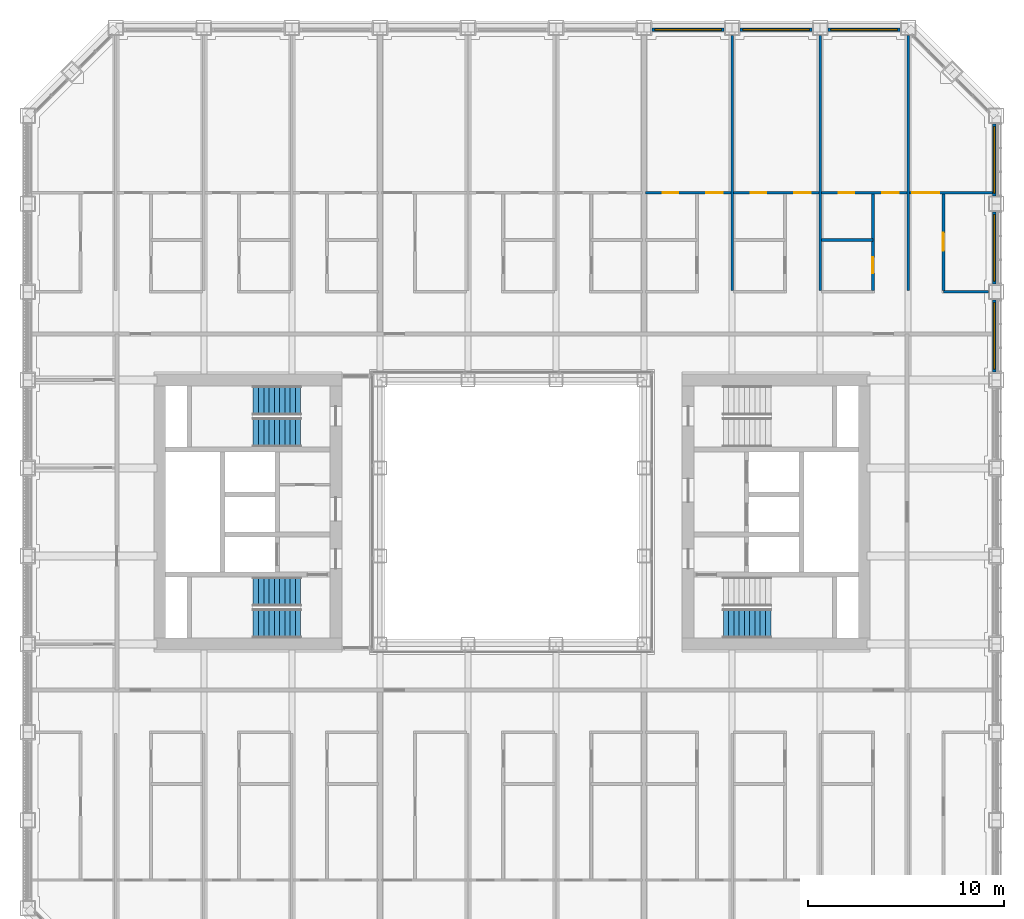
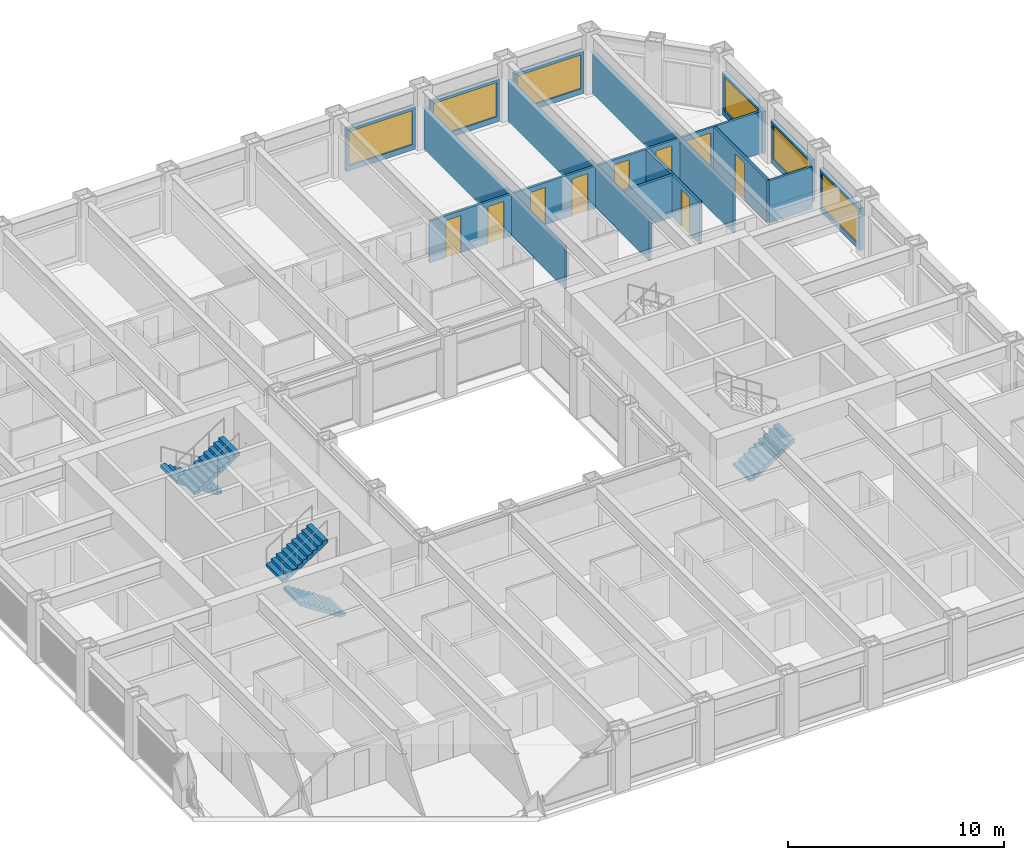
# One storey, part 15 of 21: 17 walls, 9 doors, 6 windows, 5 stair flights, 15 openings, 3 elements without a shape of their own.
"""IFC4 building model written with IfcOpenShell, lengths in metres."""

from ifc_helpers import new_model, si_unit, direction, frame, frame_2d, origin, place, context, subcontext, project, spatial, polyline, rectangle, outline, extrude, material, layer, layer_set, type_object, element, fill, aggregate, save


model = new_model("IFC4")

# Units and contexts
model_context = context("Model", 3, precision=1e-05, world=origin(), true_north=direction((0.0, 1.0)))
body_context = subcontext(model_context, "Body", "Model", "MODEL_VIEW")
ifc_project = project(units=[si_unit("LENGTHUNIT", "METRE"), si_unit("AREAUNIT", "SQUARE_METRE"), si_unit("VOLUMEUNIT", "CUBIC_METRE"), si_unit("PLANEANGLEUNIT", "RADIAN"), si_unit("MASSUNIT", "GRAM", prefix="KILO")], contexts=[model_context])

# Site, building, storey
site_placement = place(None, origin())
site = spatial("IfcSite", under=ifc_project, at=site_placement, CompositionType="ELEMENT")
building_placement = place(site_placement, origin())
building = spatial("IfcBuilding", under=site, at=building_placement, Name="Msasa Ring Tower", CompositionType="ELEMENT")
storey_placement = place(building_placement, frame((0.0, 0.0, 93.0)))
storey = spatial("IfcBuildingStorey", under=building, at=storey_placement, Name="L24", CompositionType="ELEMENT", Elevation=93.0)

# Wall, opening, window
ifc_material_1 = material(Name="Terracotta rainscreen on blockwork", Category="masonry")
ifc_layer_1 = layer(ifc_material_1, 0.199951171875)
ifc_layer_set_1 = layer_set([ifc_layer_1], Name="FW1 TERRACOTTA-LINED INFILL BAY WALL 200")
wall_type_1 = type_object("IfcWallType", Name="FW1 TERRACOTTA-LINED INFILL BAY WALL 200", PredefinedType="SOLIDWALL", material=ifc_layer_set_1)
wall_1_placement = place(storey_placement, frame((24.64990234375, 7.155029296875, 0.0), z_axis=(0.0, 0.0, 1.0), x_axis=(0.0, 1.0, 0.0)))
wall_1 = element("IfcWall", 1, at=wall_1_placement, inside=storey, type_object=wall_type_1, Name="Infill bay wall E L24 17", PredefinedType="SOLIDWALL", context=body_context, shape_type="SweptSolid", body=[
    extrude(rectangle(XDim=3.68994140625, YDim=0.199951171875, at=frame_2d((1.844970703125, 0.0))), origin(), (0.0, 0.0, 1.0), 2.37890625),
])
opening_1_placement = place(wall_1_placement, frame((0.14501953125, 0.0, 0.300048828125)))
opening_1 = element("IfcOpeningElement", 2, at=opening_1_placement, cuts=wall_1, Name="Opening WN1", PredefinedType="OPENING", context=body_context, shape_type="SweptSolid", body=[
    extrude(rectangle(XDim=3.39990234375, YDim=1.928955078125, at=frame_2d((1.699951171875, 0.96435546875))), frame((0.0, 0.10986328125, 0.0), z_axis=(0.0, -1.0, 0.0), x_axis=(1.0, 0.0, 0.0)), (0.0, 0.0, 1.0), 0.219970703125),
])
ifc_material_2 = material(Name="Aluminium frame with clear glass", Category="aluminium")
window_type = type_object("IfcWindowType", Name="WN1 RESIDENCE WINDOW 3400x1929", PartitioningType="SINGLE_PANEL", PredefinedType="WINDOW", material=ifc_material_2)
window_1_placement = place(opening_1_placement, origin())
window_1 = element("IfcWindow", 3, at=window_1_placement, inside=storey, type_object=window_type, Name="Window E L24 17", OverallHeight=1.928955078125, OverallWidth=3.39990234375, PartitioningType="SINGLE_PANEL", PredefinedType="WINDOW", context=body_context, shape_type="SweptSolid", body=[
    extrude(rectangle(XDim=3.39990234375, YDim=1.928955078125, at=frame_2d((1.699951171875, 0.96435546875))), frame((0.0, 0.030029296875, 0.0), z_axis=(0.0, -1.0, 0.0), x_axis=(1.0, 0.0, 0.0)), (0.0, 0.0, 1.0), 0.06005859375),
])
fill(opening_1, window_1)

wall_2_placement = place(storey_placement, frame((24.64990234375, 11.655029296875, 0.0), z_axis=(0.0, 0.0, 1.0), x_axis=(0.0, 1.0, 0.0)))
wall_2 = element("IfcWall", 4, at=wall_2_placement, inside=storey, type_object=wall_type_1, Name="Infill bay wall E L24 18", PredefinedType="SOLIDWALL", context=body_context, shape_type="SweptSolid", body=[
    extrude(rectangle(XDim=3.68994140625, YDim=0.199951171875, at=frame_2d((1.844970703125, 0.0))), origin(), (0.0, 0.0, 1.0), 2.37890625),
])
opening_2_placement = place(wall_2_placement, frame((0.14501953125, 0.0, 0.300048828125)))
opening_2 = element("IfcOpeningElement", 5, at=opening_2_placement, cuts=wall_2, Name="Opening WN1", PredefinedType="OPENING", context=body_context, shape_type="SweptSolid", body=[
    extrude(rectangle(XDim=3.39990234375, YDim=1.928955078125, at=frame_2d((1.699951171875, 0.96435546875))), frame((0.0, 0.10986328125, 0.0), z_axis=(0.0, -1.0, 0.0), x_axis=(1.0, 0.0, 0.0)), (0.0, 0.0, 1.0), 0.219970703125),
])
window_2_placement = place(opening_2_placement, origin())
window_2 = element("IfcWindow", 6, at=window_2_placement, inside=storey, type_object=window_type, Name="Window E L24 18", OverallHeight=1.928955078125, OverallWidth=3.39990234375, PartitioningType="SINGLE_PANEL", PredefinedType="WINDOW", context=body_context, shape_type="SweptSolid", body=[
    extrude(rectangle(XDim=3.39990234375, YDim=1.928955078125, at=frame_2d((1.699951171875, 0.96435546875))), frame((0.0, 0.030029296875, 0.0), z_axis=(0.0, -1.0, 0.0), x_axis=(1.0, 0.0, 0.0)), (0.0, 0.0, 1.0), 0.06005859375),
])
fill(opening_2, window_2)

wall_3_placement = place(storey_placement, frame((24.64990234375, 16.155029296875, 0.0), z_axis=(0.0, 0.0, 1.0), x_axis=(0.0, 1.0, 0.0)))
wall_3 = element("IfcWall", 7, at=wall_3_placement, inside=storey, type_object=wall_type_1, Name="Infill bay wall E L24 19", PredefinedType="SOLIDWALL", context=body_context, shape_type="SweptSolid", body=[
    extrude(rectangle(XDim=3.68994140625, YDim=0.199951171875, at=frame_2d((1.844970703125, 0.0))), origin(), (0.0, 0.0, 1.0), 2.37890625),
])
opening_3_placement = place(wall_3_placement, frame((0.14501953125, 0.0, 0.300048828125)))
opening_3 = element("IfcOpeningElement", 8, at=opening_3_placement, cuts=wall_3, Name="Opening WN1", PredefinedType="OPENING", context=body_context, shape_type="SweptSolid", body=[
    extrude(rectangle(XDim=3.39990234375, YDim=1.928955078125, at=frame_2d((1.699951171875, 0.96435546875))), frame((0.0, 0.10986328125, 0.0), z_axis=(0.0, -1.0, 0.0), x_axis=(1.0, 0.0, 0.0)), (0.0, 0.0, 1.0), 0.219970703125),
])
window_3_placement = place(opening_3_placement, origin())
window_3 = element("IfcWindow", 9, at=window_3_placement, inside=storey, type_object=window_type, Name="Window E L24 19", OverallHeight=1.928955078125, OverallWidth=3.39990234375, PartitioningType="SINGLE_PANEL", PredefinedType="WINDOW", context=body_context, shape_type="SweptSolid", body=[
    extrude(rectangle(XDim=3.39990234375, YDim=1.928955078125, at=frame_2d((1.699951171875, 0.96435546875))), frame((0.0, 0.030029296875, 0.0), z_axis=(0.0, -1.0, 0.0), x_axis=(1.0, 0.0, 0.0)), (0.0, 0.0, 1.0), 0.06005859375),
])
fill(opening_3, window_3)

wall_4_placement = place(storey_placement, frame((7.155029296875, 24.64990234375, 0.0), z_axis=(0.0, 0.0, 1.0), x_axis=(1.0, 0.0, 0.0)))
wall_4 = element("IfcWall", 10, at=wall_4_placement, inside=storey, type_object=wall_type_1, Name="Infill bay wall N L24 28", PredefinedType="SOLIDWALL", context=body_context, shape_type="SweptSolid", body=[
    extrude(rectangle(XDim=3.68994140625, YDim=0.199951171875, at=frame_2d((1.844970703125, 0.0))), origin(), (0.0, 0.0, 1.0), 2.37890625),
])
opening_4_placement = place(wall_4_placement, frame((0.14501953125, 0.0, 0.300048828125)))
opening_4 = element("IfcOpeningElement", 11, at=opening_4_placement, cuts=wall_4, Name="Opening WN1", PredefinedType="OPENING", context=body_context, shape_type="SweptSolid", body=[
    extrude(rectangle(XDim=3.39990234375, YDim=1.928955078125, at=frame_2d((1.699951171875, 0.96435546875))), frame((0.0, 0.10986328125, 0.0), z_axis=(0.0, -1.0, 0.0), x_axis=(1.0, 0.0, 0.0)), (0.0, 0.0, 1.0), 0.219970703125),
])
window_4_placement = place(opening_4_placement, origin())
window_4 = element("IfcWindow", 12, at=window_4_placement, inside=storey, type_object=window_type, Name="Window N L24 28", OverallHeight=1.928955078125, OverallWidth=3.39990234375, PartitioningType="SINGLE_PANEL", PredefinedType="WINDOW", context=body_context, shape_type="SweptSolid", body=[
    extrude(rectangle(XDim=3.39990234375, YDim=1.928955078125, at=frame_2d((1.699951171875, 0.96435546875))), frame((0.0, 0.030029296875, 0.0), z_axis=(0.0, -1.0, 0.0), x_axis=(1.0, 0.0, 0.0)), (0.0, 0.0, 1.0), 0.06005859375),
])
fill(opening_4, window_4)

wall_5_placement = place(storey_placement, frame((11.655029296875, 24.64990234375, 0.0), z_axis=(0.0, 0.0, 1.0), x_axis=(1.0, 0.0, 0.0)))
wall_5 = element("IfcWall", 13, at=wall_5_placement, inside=storey, type_object=wall_type_1, Name="Infill bay wall N L24 29", PredefinedType="SOLIDWALL", context=body_context, shape_type="SweptSolid", body=[
    extrude(rectangle(XDim=3.68994140625, YDim=0.199951171875, at=frame_2d((1.844970703125, 0.0))), origin(), (0.0, 0.0, 1.0), 2.37890625),
])
opening_5_placement = place(wall_5_placement, frame((0.14501953125, 0.0, 0.300048828125)))
opening_5 = element("IfcOpeningElement", 14, at=opening_5_placement, cuts=wall_5, Name="Opening WN1", PredefinedType="OPENING", context=body_context, shape_type="SweptSolid", body=[
    extrude(rectangle(XDim=3.39990234375, YDim=1.928955078125, at=frame_2d((1.699951171875, 0.96435546875))), frame((0.0, 0.10986328125, 0.0), z_axis=(0.0, -1.0, 0.0), x_axis=(1.0, 0.0, 0.0)), (0.0, 0.0, 1.0), 0.219970703125),
])
window_5_placement = place(opening_5_placement, origin())
window_5 = element("IfcWindow", 15, at=window_5_placement, inside=storey, type_object=window_type, Name="Window N L24 29", OverallHeight=1.928955078125, OverallWidth=3.39990234375, PartitioningType="SINGLE_PANEL", PredefinedType="WINDOW", context=body_context, shape_type="SweptSolid", body=[
    extrude(rectangle(XDim=3.39990234375, YDim=1.928955078125, at=frame_2d((1.699951171875, 0.96435546875))), frame((0.0, 0.030029296875, 0.0), z_axis=(0.0, -1.0, 0.0), x_axis=(1.0, 0.0, 0.0)), (0.0, 0.0, 1.0), 0.06005859375),
])
fill(opening_5, window_5)

wall_6_placement = place(storey_placement, frame((16.155029296875, 24.64990234375, 0.0), z_axis=(0.0, 0.0, 1.0), x_axis=(1.0, 0.0, 0.0)))
wall_6 = element("IfcWall", 16, at=wall_6_placement, inside=storey, type_object=wall_type_1, Name="Infill bay wall N L24 30", PredefinedType="SOLIDWALL", context=body_context, shape_type="SweptSolid", body=[
    extrude(rectangle(XDim=3.68994140625, YDim=0.199951171875, at=frame_2d((1.844970703125, 0.0))), origin(), (0.0, 0.0, 1.0), 2.37890625),
])
opening_6_placement = place(wall_6_placement, frame((0.14501953125, 0.0, 0.300048828125)))
opening_6 = element("IfcOpeningElement", 17, at=opening_6_placement, cuts=wall_6, Name="Opening WN1", PredefinedType="OPENING", context=body_context, shape_type="SweptSolid", body=[
    extrude(rectangle(XDim=3.39990234375, YDim=1.928955078125, at=frame_2d((1.699951171875, 0.96435546875))), frame((0.0, 0.10986328125, 0.0), z_axis=(0.0, -1.0, 0.0), x_axis=(1.0, 0.0, 0.0)), (0.0, 0.0, 1.0), 0.219970703125),
])
window_6_placement = place(opening_6_placement, origin())
window_6 = element("IfcWindow", 18, at=window_6_placement, inside=storey, type_object=window_type, Name="Window N L24 30", OverallHeight=1.928955078125, OverallWidth=3.39990234375, PartitioningType="SINGLE_PANEL", PredefinedType="WINDOW", context=body_context, shape_type="SweptSolid", body=[
    extrude(rectangle(XDim=3.39990234375, YDim=1.928955078125, at=frame_2d((1.699951171875, 0.96435546875))), frame((0.0, 0.030029296875, 0.0), z_axis=(0.0, -1.0, 0.0), x_axis=(1.0, 0.0, 0.0)), (0.0, 0.0, 1.0), 0.06005859375),
])
fill(opening_6, window_6)

# Wall, opening, door
ifc_material_3 = material(Name="Moisture-resistant board on steel studs with a concealed cistern and pipe void, tiled", Category="steel")
ifc_layer_2 = layer(ifc_material_3, 0.14990234375)
ifc_layer_set_2 = layer_set([ifc_layer_2], Name="PT4 BATHROOM WET WALL 150")
wall_type_2 = type_object("IfcWallType", Name="PT4 BATHROOM WET WALL 150", PredefinedType="PARTITIONING", material=ifc_layer_set_2)
wall_7_placement = place(storey_placement, frame((22.050048828125, 11.3125, 0.0), z_axis=(0.0, 0.0, 1.0), x_axis=(0.0, 1.0, 0.0)))
wall_7 = element("IfcWall", 19, at=wall_7_placement, inside=storey, type_object=wall_type_2, Name="Partition L24-UN02SX0", PredefinedType="PARTITIONING", context=body_context, shape_type="SweptSolid", body=[
    extrude(rectangle(XDim=5.0, YDim=0.14990234375, at=frame_2d((2.5, 0.0))), origin(), (0.0, 0.0, 1.0), 2.373291015625),
])
opening_7_placement = place(wall_7_placement, frame((2.050048828125, 0.0, 0.0)))
opening_7 = element("IfcOpeningElement", 20, at=opening_7_placement, cuts=wall_7, Name="Opening RG-022", PredefinedType="OPENING", context=body_context, shape_type="SweptSolid", body=[
    extrude(rectangle(XDim=0.89990234375, YDim=2.10009765625, at=frame_2d((0.449951171875, 1.050048828125))), frame((0.0, 0.0849609375, 0.0), z_axis=(0.0, -1.0, 0.0), x_axis=(1.0, 0.0, 0.0)), (0.0, 0.0, 1.0), 0.169921875),
])
ifc_material_4 = material(Name="Timber door leaf in a steel frame", Category="steel")
door_type_1 = type_object("IfcDoorType", Name="D22 INTERNAL HALL DOOR 900x2100", OperationType="SINGLE_SWING_LEFT", PredefinedType="DOOR", material=ifc_material_4)
door_1_placement = place(opening_7_placement, origin())
door_1 = element("IfcDoor", 21, at=door_1_placement, inside=storey, type_object=door_type_1, Name="Door L24-UN02K", OperationType="SINGLE_SWING_LEFT", OverallHeight=2.10009765625, OverallWidth=0.89990234375, PredefinedType="DOOR", context=body_context, shape_type="SweptSolid", body=[
    extrude(rectangle(XDim=0.89990234375, YDim=2.10009765625, at=frame_2d((0.449951171875, 1.050048828125))), frame((0.0, 0.02490234375, 0.0), z_axis=(0.0, -1.0, 0.0), x_axis=(1.0, 0.0, 0.0)), (0.0, 0.0, 1.0), 0.050048828125),
])
fill(opening_7, door_1)

wall_8_placement = place(storey_placement, frame((18.449951171875, 11.3125, 0.0), z_axis=(0.0, 0.0, 1.0), x_axis=(0.0, 1.0, 0.0)))
wall_8 = element("IfcWall", 22, at=wall_8_placement, inside=storey, type_object=wall_type_2, Name="Partition L24-UN02SX1", PredefinedType="PARTITIONING", context=body_context, shape_type="SweptSolid", body=[
    extrude(rectangle(XDim=5.0, YDim=0.14990234375, at=frame_2d((2.5, 0.0))), origin(), (0.0, 0.0, 1.0), 2.373291015625),
])
opening_8_placement = place(wall_8_placement, frame((0.89990234375, 0.0, 0.0)))
opening_8 = element("IfcOpeningElement", 23, at=opening_8_placement, cuts=wall_8, Name="Opening RG-030", PredefinedType="OPENING", context=body_context, shape_type="SweptSolid", body=[
    extrude(rectangle(XDim=0.800048828125, YDim=2.10009765625, at=frame_2d((0.39990234375, 1.050048828125))), frame((0.0, 0.0849609375, 0.0), z_axis=(0.0, -1.0, 0.0), x_axis=(1.0, 0.0, 0.0)), (0.0, 0.0, 1.0), 0.169921875),
])
ifc_material_5 = material(Name="Timber door leaf in a steel frame", Category="steel")
door_type_2 = type_object("IfcDoorType", Name="D21 POCKET SLIDING BATHROOM DOOR 800x2100", OperationType="SINGLE_SWING_LEFT", PredefinedType="DOOR", material=ifc_material_5)
door_2_placement = place(opening_8_placement, origin())
door_2 = element("IfcDoor", 24, at=door_2_placement, inside=storey, type_object=door_type_2, Name="Door L24-UN02B1", OperationType="SINGLE_SWING_LEFT", OverallHeight=2.10009765625, OverallWidth=0.800048828125, PredefinedType="DOOR", context=body_context, shape_type="SweptSolid", body=[
    extrude(rectangle(XDim=0.800048828125, YDim=2.10009765625, at=frame_2d((0.39990234375, 1.050048828125))), frame((0.0, 0.02490234375, 0.0), z_axis=(0.0, -1.0, 0.0), x_axis=(1.0, 0.0, 0.0)), (0.0, 0.0, 1.0), 0.050048828125),
])
fill(opening_8, door_2)

# Walls
wall_9_placement = place(storey_placement, frame((15.8125, 13.91259765625, 0.0), z_axis=(0.0, 0.0, 1.0), x_axis=(1.0, 0.0, 0.0)))
element("IfcWall", 25, at=wall_9_placement, inside=storey, type_object=wall_type_2, Name="Partition L24-UN02SB1", PredefinedType="PARTITIONING", context=body_context, shape_type="SweptSolid", body=[
    extrude(rectangle(XDim=2.637451171875, YDim=0.14990234375, at=frame_2d((1.31884765625, 0.0))), origin(), (0.0, 0.0, 1.0), 2.373291015625),
])
ifc_material_6 = material(Name="Two layers of acoustic board each face on steel studs, mineral wool", Category="steel")
ifc_layer_3 = layer(ifc_material_6, 0.125)
ifc_layer_set_3 = layer_set([ifc_layer_3], Name="PT6 ACOUSTIC DOUBLE-BOARD PARTITION 125")
wall_type_3 = type_object("IfcWallType", Name="PT6 ACOUSTIC DOUBLE-BOARD PARTITION 125", PredefinedType="PARTITIONING", material=ifc_layer_set_3)
wall_10_placement = place(storey_placement, frame((22.050048828125, 11.25, 0.0), z_axis=(0.0, 0.0, 1.0), x_axis=(1.0, 0.0, 0.0)))
element("IfcWall", 26, at=wall_10_placement, inside=storey, type_object=wall_type_3, Name="Partition L24-UN02HY0", PredefinedType="PARTITIONING", context=body_context, shape_type="SweptSolid", body=[
    extrude(rectangle(XDim=2.300048828125, YDim=0.125, at=frame_2d((1.14990234375, 0.0))), origin(), (0.0, 0.0, 1.0), 2.373291015625),
])

# Wall, opening, door
wall_11_placement = place(storey_placement, frame((20.3125, 16.3125, 0.0), z_axis=(0.0, 0.0, 1.0), x_axis=(1.0, 0.0, 0.0)))
wall_11 = element("IfcWall", 27, at=wall_11_placement, inside=storey, type_object=wall_type_3, Name="Partition L24-UN02SY0", PredefinedType="PARTITIONING", context=body_context, shape_type="SweptSolid", body=[
    extrude(rectangle(XDim=4.237548828125, YDim=0.125, at=frame_2d((2.11865234375, 0.0))), origin(), (0.0, 0.0, 1.0), 2.373291015625),
])
opening_9_placement = place(wall_11_placement, frame((0.137451171875, 0.0, 0.0)))
opening_9 = element("IfcOpeningElement", 28, at=opening_9_placement, cuts=wall_11, Name="Opening RG-019", PredefinedType="OPENING", context=body_context, shape_type="SweptSolid", body=[
    extrude(rectangle(XDim=1.39990234375, YDim=2.10009765625, at=frame_2d((0.699951171875, 1.050048828125))), frame((0.0, 0.072509765625, 0.0), z_axis=(0.0, -1.0, 0.0), x_axis=(1.0, 0.0, 0.0)), (0.0, 0.0, 1.0), 0.14501953125),
])
ifc_material_7 = material(Name="Timber door leaf in a steel frame", Category="steel")
door_type_3 = type_object("IfcDoorType", Name="D15 LIVING ROOM PAIR OF GLAZED DOORS 1400x2100", OperationType="SINGLE_SWING_LEFT", PredefinedType="DOOR", material=ifc_material_7)
door_3_placement = place(opening_9_placement, origin())
door_3 = element("IfcDoor", 29, at=door_3_placement, inside=storey, type_object=door_type_3, Name="Door L24-UN02L", OperationType="SINGLE_SWING_LEFT", OverallHeight=2.10009765625, OverallWidth=1.39990234375, PredefinedType="DOOR", context=body_context, shape_type="SweptSolid", body=[
    extrude(rectangle(XDim=1.39990234375, YDim=2.10009765625, at=frame_2d((0.699951171875, 1.050048828125))), frame((0.0, 0.02490234375, 0.0), z_axis=(0.0, -1.0, 0.0), x_axis=(1.0, 0.0, 0.0)), (0.0, 0.0, 1.0), 0.050048828125),
])
fill(opening_9, door_3)

# Wall
wall_12_placement = place(storey_placement, frame((20.25, 11.3125, 0.0), z_axis=(0.0, 0.0, 1.0), x_axis=(0.0, 1.0, 0.0)))
element("IfcWall", 30, at=wall_12_placement, inside=storey, type_object=wall_type_3, Name="Partition L24-UN02P1", PredefinedType="PARTITIONING", context=body_context, shape_type="SweptSolid", body=[
    extrude(rectangle(XDim=13.03759765625, YDim=0.125, at=frame_2d((6.518798828125, 0.0))), origin(), (0.0, 0.0, 1.0), 2.373291015625),
])

# Wall, openings, doors
wall_13_placement = place(storey_placement, frame((15.8125, 16.3125, 0.0), z_axis=(0.0, 0.0, 1.0), x_axis=(1.0, 0.0, 0.0)))
wall_13 = element("IfcWall", 31, at=wall_13_placement, inside=storey, type_object=wall_type_3, Name="Partition L24-UN02SY1", PredefinedType="PARTITIONING", context=body_context, shape_type="SweptSolid", body=[
    extrude(rectangle(XDim=4.375, YDim=0.125, at=frame_2d((2.1875, 0.0))), origin(), (0.0, 0.0, 1.0), 2.373291015625),
])
opening_10_placement = place(wall_13_placement, frame((3.112548828125, 0.0, 0.0)))
opening_10 = element("IfcOpeningElement", 32, at=opening_10_placement, cuts=wall_13, Name="Opening RG-018", PredefinedType="OPENING", context=body_context, shape_type="SweptSolid", body=[
    extrude(rectangle(XDim=0.85009765625, YDim=2.10009765625, at=frame_2d((0.425048828125, 1.050048828125))), frame((0.0, 0.072509765625, 0.0), z_axis=(0.0, -1.0, 0.0), x_axis=(1.0, 0.0, 0.0)), (0.0, 0.0, 1.0), 0.14501953125),
])
opening_11_placement = place(wall_13_placement, frame((0.88134765625, 0.0, 0.0)))
opening_11 = element("IfcOpeningElement", 33, at=opening_11_placement, cuts=wall_13, Name="Opening RG-017", PredefinedType="OPENING", context=body_context, shape_type="SweptSolid", body=[
    extrude(rectangle(XDim=0.800048828125, YDim=2.10009765625, at=frame_2d((0.39990234375, 1.050048828125))), frame((0.0, 0.072509765625, 0.0), z_axis=(0.0, -1.0, 0.0), x_axis=(1.0, 0.0, 0.0)), (0.0, 0.0, 1.0), 0.14501953125),
])
ifc_material_8 = material(Name="Timber door leaf in a steel frame", Category="steel")
door_type_4 = type_object("IfcDoorType", Name="D14 BEDROOM DOOR 850x2100", OperationType="SINGLE_SWING_LEFT", PredefinedType="DOOR", material=ifc_material_8)
door_4_placement = place(opening_10_placement, origin())
door_4 = element("IfcDoor", 34, at=door_4_placement, inside=storey, type_object=door_type_4, Name="Door L24-UN02R1", OperationType="SINGLE_SWING_RIGHT", OverallHeight=2.10009765625, OverallWidth=0.85009765625, PredefinedType="DOOR", context=body_context, shape_type="SweptSolid", body=[
    extrude(rectangle(XDim=0.85009765625, YDim=2.10009765625, at=frame_2d((0.425048828125, 1.050048828125))), frame((0.0, 0.02490234375, 0.0), z_axis=(0.0, -1.0, 0.0), x_axis=(1.0, 0.0, 0.0)), (0.0, 0.0, 1.0), 0.050048828125),
])
fill(opening_10, door_4)
ifc_material_9 = material(Name="Timber door leaf in a steel frame", Category="steel")
door_type_5 = type_object("IfcDoorType", Name="D60 DRESSING ROOM DOOR 800x2100", OperationType="SINGLE_SWING_LEFT", PredefinedType="DOOR", material=ifc_material_9)
door_5_placement = place(opening_11_placement, origin())
door_5 = element("IfcDoor", 35, at=door_5_placement, inside=storey, type_object=door_type_5, Name="Door L24-UN02W1", OperationType="SINGLE_SWING_LEFT", OverallHeight=2.10009765625, OverallWidth=0.800048828125, PredefinedType="DOOR", context=body_context, shape_type="SweptSolid", body=[
    extrude(rectangle(XDim=0.800048828125, YDim=2.10009765625, at=frame_2d((0.39990234375, 1.050048828125))), frame((0.0, 0.02490234375, 0.0), z_axis=(0.0, -1.0, 0.0), x_axis=(1.0, 0.0, 0.0)), (0.0, 0.0, 1.0), 0.050048828125),
])
fill(opening_11, door_5)

# Wall
wall_14_placement = place(storey_placement, frame((15.75, 11.3125, 0.0), z_axis=(0.0, 0.0, 1.0), x_axis=(0.0, 1.0, 0.0)))
element("IfcWall", 36, at=wall_14_placement, inside=storey, type_object=wall_type_3, Name="Partition L24-UN02P2", PredefinedType="PARTITIONING", context=body_context, shape_type="SweptSolid", body=[
    extrude(rectangle(XDim=13.03759765625, YDim=0.125, at=frame_2d((6.518798828125, 0.0))), origin(), (0.0, 0.0, 1.0), 2.373291015625),
])

# Wall, openings, doors
wall_15_placement = place(storey_placement, frame((11.3125, 16.3125, 0.0), z_axis=(0.0, 0.0, 1.0), x_axis=(1.0, 0.0, 0.0)))
wall_15 = element("IfcWall", 37, at=wall_15_placement, inside=storey, type_object=wall_type_3, Name="Partition L24-UN02SY2", PredefinedType="PARTITIONING", context=body_context, shape_type="SweptSolid", body=[
    extrude(rectangle(XDim=4.375, YDim=0.125, at=frame_2d((2.1875, 0.0))), origin(), (0.0, 0.0, 1.0), 2.373291015625),
])
opening_12_placement = place(wall_15_placement, frame((3.112548828125, 0.0, 0.0)))
opening_12 = element("IfcOpeningElement", 38, at=opening_12_placement, cuts=wall_15, Name="Opening RG-016", PredefinedType="OPENING", context=body_context, shape_type="SweptSolid", body=[
    extrude(rectangle(XDim=0.85009765625, YDim=2.10009765625, at=frame_2d((0.425048828125, 1.050048828125))), frame((0.0, 0.072509765625, 0.0), z_axis=(0.0, -1.0, 0.0), x_axis=(1.0, 0.0, 0.0)), (0.0, 0.0, 1.0), 0.14501953125),
])
opening_13_placement = place(wall_15_placement, frame((0.88134765625, 0.0, 0.0)))
opening_13 = element("IfcOpeningElement", 39, at=opening_13_placement, cuts=wall_15, Name="Opening RG-015", PredefinedType="OPENING", context=body_context, shape_type="SweptSolid", body=[
    extrude(rectangle(XDim=0.800048828125, YDim=2.10009765625, at=frame_2d((0.39990234375, 1.050048828125))), frame((0.0, 0.072509765625, 0.0), z_axis=(0.0, -1.0, 0.0), x_axis=(1.0, 0.0, 0.0)), (0.0, 0.0, 1.0), 0.14501953125),
])
door_6_placement = place(opening_12_placement, origin())
door_6 = element("IfcDoor", 40, at=door_6_placement, inside=storey, type_object=door_type_4, Name="Door L24-UN02R2", OperationType="SINGLE_SWING_RIGHT", OverallHeight=2.10009765625, OverallWidth=0.85009765625, PredefinedType="DOOR", context=body_context, shape_type="SweptSolid", body=[
    extrude(rectangle(XDim=0.85009765625, YDim=2.10009765625, at=frame_2d((0.425048828125, 1.050048828125))), frame((0.0, 0.02490234375, 0.0), z_axis=(0.0, -1.0, 0.0), x_axis=(1.0, 0.0, 0.0)), (0.0, 0.0, 1.0), 0.050048828125),
])
fill(opening_12, door_6)
door_7_placement = place(opening_13_placement, origin())
door_7 = element("IfcDoor", 41, at=door_7_placement, inside=storey, type_object=door_type_5, Name="Door L24-UN02W2", OperationType="SINGLE_SWING_LEFT", OverallHeight=2.10009765625, OverallWidth=0.800048828125, PredefinedType="DOOR", context=body_context, shape_type="SweptSolid", body=[
    extrude(rectangle(XDim=0.800048828125, YDim=2.10009765625, at=frame_2d((0.39990234375, 1.050048828125))), frame((0.0, 0.02490234375, 0.0), z_axis=(0.0, -1.0, 0.0), x_axis=(1.0, 0.0, 0.0)), (0.0, 0.0, 1.0), 0.050048828125),
])
fill(opening_13, door_7)

# Wall
wall_16_placement = place(storey_placement, frame((11.25, 11.3125, 0.0), z_axis=(0.0, 0.0, 1.0), x_axis=(0.0, 1.0, 0.0)))
element("IfcWall", 42, at=wall_16_placement, inside=storey, type_object=wall_type_3, Name="Partition L24-UN02P3", PredefinedType="PARTITIONING", context=body_context, shape_type="SweptSolid", body=[
    extrude(rectangle(XDim=13.03759765625, YDim=0.125, at=frame_2d((6.518798828125, 0.0))), origin(), (0.0, 0.0, 1.0), 2.373291015625),
])

# Wall, openings, doors
wall_17_placement = place(storey_placement, frame((6.8173828125, 16.3125, 0.0), z_axis=(0.0, 0.0, 1.0), x_axis=(1.0, 0.0, 0.0)))
wall_17 = element("IfcWall", 43, at=wall_17_placement, inside=storey, type_object=wall_type_3, Name="Partition L24-UN02SY3", PredefinedType="PARTITIONING", context=body_context, shape_type="SweptSolid", body=[
    extrude(rectangle(XDim=4.3701171875, YDim=0.125, at=frame_2d((2.18505859375, 0.0))), origin(), (0.0, 0.0, 1.0), 2.373291015625),
])
opening_14_placement = place(wall_17_placement, frame((3.107421875, 0.0, 0.0)))
opening_14 = element("IfcOpeningElement", 44, at=opening_14_placement, cuts=wall_17, Name="Opening RG-014", PredefinedType="OPENING", context=body_context, shape_type="SweptSolid", body=[
    extrude(rectangle(XDim=0.85009765625, YDim=2.10009765625, at=frame_2d((0.425048828125, 1.050048828125))), frame((0.0, 0.072509765625, 0.0), z_axis=(0.0, -1.0, 0.0), x_axis=(1.0, 0.0, 0.0)), (0.0, 0.0, 1.0), 0.14501953125),
])
opening_15_placement = place(wall_17_placement, frame((0.876220703125, 0.0, 0.0)))
opening_15 = element("IfcOpeningElement", 45, at=opening_15_placement, cuts=wall_17, Name="Opening RG-013", PredefinedType="OPENING", context=body_context, shape_type="SweptSolid", body=[
    extrude(rectangle(XDim=0.800048828125, YDim=2.10009765625, at=frame_2d((0.39990234375, 1.050048828125))), frame((0.0, 0.072509765625, 0.0), z_axis=(0.0, -1.0, 0.0), x_axis=(1.0, 0.0, 0.0)), (0.0, 0.0, 1.0), 0.14501953125),
])
door_8_placement = place(opening_14_placement, origin())
door_8 = element("IfcDoor", 46, at=door_8_placement, inside=storey, type_object=door_type_4, Name="Door L24-UN02R3", OperationType="SINGLE_SWING_RIGHT", OverallHeight=2.10009765625, OverallWidth=0.85009765625, PredefinedType="DOOR", context=body_context, shape_type="SweptSolid", body=[
    extrude(rectangle(XDim=0.85009765625, YDim=2.10009765625, at=frame_2d((0.425048828125, 1.050048828125))), frame((0.0, 0.02490234375, 0.0), z_axis=(0.0, -1.0, 0.0), x_axis=(1.0, 0.0, 0.0)), (0.0, 0.0, 1.0), 0.050048828125),
])
fill(opening_14, door_8)
door_9_placement = place(opening_15_placement, origin())
door_9 = element("IfcDoor", 47, at=door_9_placement, inside=storey, type_object=door_type_5, Name="Door L24-UN02W3", OperationType="SINGLE_SWING_LEFT", OverallHeight=2.10009765625, OverallWidth=0.800048828125, PredefinedType="DOOR", context=body_context, shape_type="SweptSolid", body=[
    extrude(rectangle(XDim=0.800048828125, YDim=2.10009765625, at=frame_2d((0.39990234375, 1.050048828125))), frame((0.0, 0.02490234375, 0.0), z_axis=(0.0, -1.0, 0.0), x_axis=(1.0, 0.0, 0.0)), (0.0, 0.0, 1.0), 0.050048828125),
])
fill(opening_15, door_9)

# Stair, stair flight
ifc_material_10 = material(Name="Concrete C40/50", Category="concrete")
stair_type = type_object("IfcStairType", Name="STC CORE STAIR 20 RISERS 175", PredefinedType="HALF_TURN_STAIR", material=ifc_material_10)
stair_1_placement = place(storey_placement, origin())
stair_1 = element("IfcStair", 48, at=stair_1_placement, inside=storey, type_object=stair_type, Name="Core stair SEA L24", PredefinedType="HALF_TURN_STAIR")
ifc_material_11 = material(Name="Concrete C40/50", Category="concrete")
stair_flight_type = type_object("IfcStairFlightType", Name="ST12 CORE STAIR FLIGHT 1500 10 RISERS 175", PredefinedType="STRAIGHT", material=ifc_material_11)
stair_flight_1_placement = place(storey_placement, frame((10.800048828125, -5.699951171875, 0.0), z_axis=(0.0, 0.0, 1.0), x_axis=(1.0, 0.0, 0.0)))
stair_flight_1 = element("IfcStairFlight", 49, at=stair_flight_1_placement, type_object=stair_flight_type, Name="SEA flight 1", NumberOfRisers=10, NumberOfTreads=9, PredefinedType="STRAIGHT", RiserHeight=0.175, TreadLength=0.27, context=body_context, shape_type="SweptSolid", body=[
    extrude(outline(polyline([(0.0, 0.0), (0.0, 0.175048828125), (0.27001953125, 0.175048828125), (0.27001953125, 0.35009765625), (0.5400390625, 0.35009765625), (0.5400390625, 0.52490234375), (0.81005859375, 0.52490234375), (0.81005859375, 0.699951171875), (1.080078125, 0.699951171875), (1.080078125, 0.875), (1.35009765625, 0.875), (1.35009765625, 1.050048828125), (1.6201171875, 1.050048828125), (1.6201171875, 1.22509765625), (1.889892578125, 1.22509765625), (1.889892578125, 1.39990234375), (2.159912109375, 1.39990234375), (2.159912109375, 1.574951171875), (2.429931640625, 1.574951171875), (2.429931640625, 1.75), (2.429931640625, 1.396484375), (0.275634765625, 0.0), (0.0, 0.0)])), frame((0.0, 0.75, 0.0), z_axis=(0.0, -1.0, 0.0), x_axis=(1.0, 0.0, 0.0)), (0.0, 0.0, 1.0), 1.5),
])
aggregate(stair_1, [stair_flight_1])

# Stair, stair flights
stair_2_placement = place(storey_placement, origin())
stair_2 = element("IfcStair", 50, at=stair_2_placement, inside=storey, type_object=stair_type, Name="Core stair SWA L24", PredefinedType="HALF_TURN_STAIR")
stair_flight_2_placement = place(storey_placement, frame((-10.800048828125, -5.699951171875, 0.0), z_axis=(0.0, 0.0, 1.0), x_axis=(-1.0, 0.0, 0.0)))
stair_flight_2 = element("IfcStairFlight", 51, at=stair_flight_2_placement, type_object=stair_flight_type, Name="SWA flight 1", NumberOfRisers=10, NumberOfTreads=9, PredefinedType="STRAIGHT", RiserHeight=0.175, TreadLength=0.27, context=body_context, shape_type="SweptSolid", body=[
    extrude(outline(polyline([(0.0, 0.0), (0.0, 0.175048828125), (0.27001953125, 0.175048828125), (0.27001953125, 0.35009765625), (0.5400390625, 0.35009765625), (0.5400390625, 0.52490234375), (0.81005859375, 0.52490234375), (0.81005859375, 0.699951171875), (1.080078125, 0.699951171875), (1.080078125, 0.875), (1.35009765625, 0.875), (1.35009765625, 1.050048828125), (1.6201171875, 1.050048828125), (1.6201171875, 1.22509765625), (1.889892578125, 1.22509765625), (1.889892578125, 1.39990234375), (2.159912109375, 1.39990234375), (2.159912109375, 1.574951171875), (2.429931640625, 1.574951171875), (2.429931640625, 1.75), (2.429931640625, 1.396484375), (0.275634765625, 0.0), (0.0, 0.0)])), frame((0.0, 0.75, 0.0), z_axis=(0.0, -1.0, 0.0), x_axis=(1.0, 0.0, 0.0)), (0.0, 0.0, 1.0), 1.5),
])
stair_flight_3_placement = place(storey_placement, frame((-13.22998046875, -4.074951171875, 1.75), z_axis=(0.0, 0.0, 1.0), x_axis=(1.0, 0.0, 0.0)))
stair_flight_3 = element("IfcStairFlight", 52, at=stair_flight_3_placement, type_object=stair_flight_type, Name="SWA flight 2", NumberOfRisers=10, NumberOfTreads=9, PredefinedType="STRAIGHT", RiserHeight=0.175, TreadLength=0.27, context=body_context, shape_type="SweptSolid", body=[
    extrude(outline(polyline([(0.0, 0.0), (0.0, 0.175048828125), (0.27001953125, 0.175048828125), (0.27001953125, 0.35009765625), (0.5400390625, 0.35009765625), (0.5400390625, 0.52490234375), (0.81005859375, 0.52490234375), (0.81005859375, 0.699951171875), (1.080078125, 0.699951171875), (1.080078125, 0.875), (1.35009765625, 0.875), (1.35009765625, 1.050048828125), (1.6201171875, 1.050048828125), (1.6201171875, 1.22509765625), (1.889892578125, 1.22509765625), (1.889892578125, 1.39990234375), (2.159912109375, 1.39990234375), (2.159912109375, 1.574951171875), (2.429931640625, 1.574951171875), (2.429931640625, 1.75), (2.429931640625, 1.396484375), (0.275634765625, 0.0), (0.0, 0.0)])), frame((0.0, 0.75, 0.0), z_axis=(0.0, -1.0, 0.0), x_axis=(1.0, 0.0, 0.0)), (0.0, 0.0, 1.0), 1.5),
])
aggregate(stair_2, [stair_flight_2, stair_flight_3])

stair_3_placement = place(storey_placement, origin())
stair_3 = element("IfcStair", 53, at=stair_3_placement, inside=storey, type_object=stair_type, Name="Core stair SWB L24", PredefinedType="HALF_TURN_STAIR")
stair_flight_4_placement = place(storey_placement, frame((-10.800048828125, 5.699951171875, 0.0), z_axis=(0.0, 0.0, 1.0), x_axis=(-1.0, 0.0, 0.0)))
stair_flight_4 = element("IfcStairFlight", 54, at=stair_flight_4_placement, type_object=stair_flight_type, Name="SWB flight 1", NumberOfRisers=10, NumberOfTreads=9, PredefinedType="STRAIGHT", RiserHeight=0.175, TreadLength=0.27, context=body_context, shape_type="SweptSolid", body=[
    extrude(outline(polyline([(0.0, 0.0), (0.0, 0.175048828125), (0.27001953125, 0.175048828125), (0.27001953125, 0.35009765625), (0.5400390625, 0.35009765625), (0.5400390625, 0.52490234375), (0.81005859375, 0.52490234375), (0.81005859375, 0.699951171875), (1.080078125, 0.699951171875), (1.080078125, 0.875), (1.35009765625, 0.875), (1.35009765625, 1.050048828125), (1.6201171875, 1.050048828125), (1.6201171875, 1.22509765625), (1.889892578125, 1.22509765625), (1.889892578125, 1.39990234375), (2.159912109375, 1.39990234375), (2.159912109375, 1.574951171875), (2.429931640625, 1.574951171875), (2.429931640625, 1.75), (2.429931640625, 1.396484375), (0.275634765625, 0.0), (0.0, 0.0)])), frame((0.0, 0.75, 0.0), z_axis=(0.0, -1.0, 0.0), x_axis=(1.0, 0.0, 0.0)), (0.0, 0.0, 1.0), 1.5),
])
stair_flight_5_placement = place(storey_placement, frame((-13.22998046875, 4.074951171875, 1.75), z_axis=(0.0, 0.0, 1.0), x_axis=(1.0, 0.0, 0.0)))
stair_flight_5 = element("IfcStairFlight", 55, at=stair_flight_5_placement, type_object=stair_flight_type, Name="SWB flight 2", NumberOfRisers=10, NumberOfTreads=9, PredefinedType="STRAIGHT", RiserHeight=0.175, TreadLength=0.27, context=body_context, shape_type="SweptSolid", body=[
    extrude(outline(polyline([(0.0, 0.0), (0.0, 0.175048828125), (0.27001953125, 0.175048828125), (0.27001953125, 0.35009765625), (0.5400390625, 0.35009765625), (0.5400390625, 0.52490234375), (0.81005859375, 0.52490234375), (0.81005859375, 0.699951171875), (1.080078125, 0.699951171875), (1.080078125, 0.875), (1.35009765625, 0.875), (1.35009765625, 1.050048828125), (1.6201171875, 1.050048828125), (1.6201171875, 1.22509765625), (1.889892578125, 1.22509765625), (1.889892578125, 1.39990234375), (2.159912109375, 1.39990234375), (2.159912109375, 1.574951171875), (2.429931640625, 1.574951171875), (2.429931640625, 1.75), (2.429931640625, 1.396484375), (0.275634765625, 0.0), (0.0, 0.0)])), frame((0.0, 0.75, 0.0), z_axis=(0.0, -1.0, 0.0), x_axis=(1.0, 0.0, 0.0)), (0.0, 0.0, 1.0), 1.5),
])
aggregate(stair_3, [stair_flight_4, stair_flight_5])

save(model, "model.ifc")
